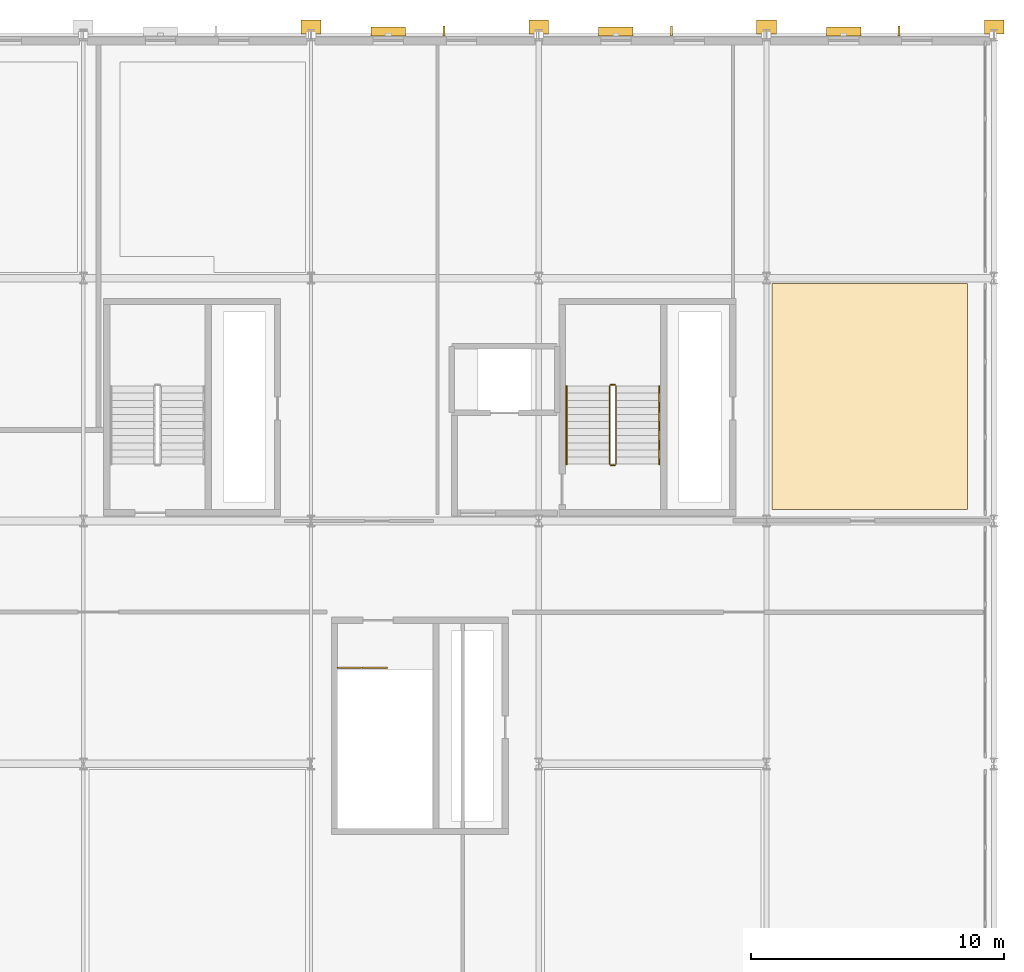
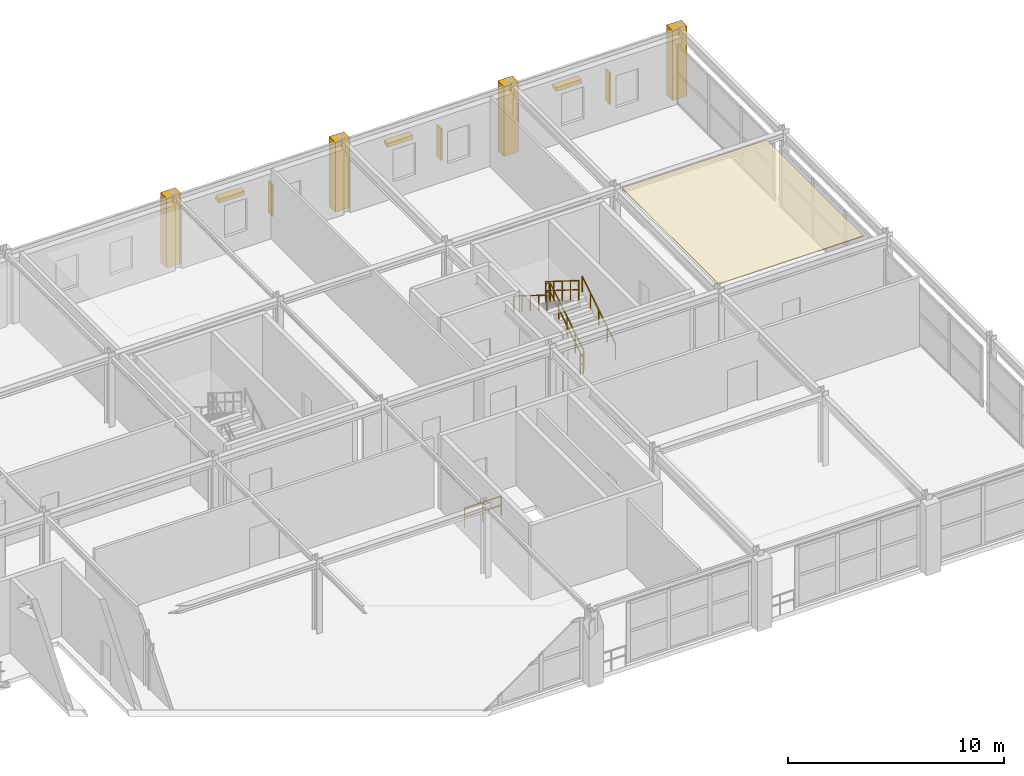
# One storey, part 81 of 81: 7 railings, 6 shading devices, 5 coverings.
"""IFC4 building model written with IfcOpenShell, lengths in metres."""

from ifc_helpers import new_model, si_unit, direction, frame, origin, origin_2d, place, context, subcontext, project, spatial, polyline, rectangle, outline, extrude, material, layer, layer_set, type_object, element, save


model = new_model("IFC4")

# Units and contexts
model_context = context("Model", 3, precision=1e-05, world=origin(), true_north=direction((0.0, 1.0)))
body_context = subcontext(model_context, "Body", "Model", "MODEL_VIEW")
ifc_project = project(units=[si_unit("LENGTHUNIT", "METRE"), si_unit("AREAUNIT", "SQUARE_METRE"), si_unit("VOLUMEUNIT", "CUBIC_METRE"), si_unit("PLANEANGLEUNIT", "RADIAN"), si_unit("MASSUNIT", "GRAM", prefix="KILO")], contexts=[model_context])

# Site, building, storey
site_placement = place(None, origin())
site = spatial("IfcSite", under=ifc_project, at=site_placement, CompositionType="ELEMENT")
building_placement = place(site_placement, origin())
building = spatial("IfcBuilding", under=site, at=building_placement, Name="Myrtia Square Station", CompositionType="ELEMENT")
storey_placement = place(building_placement, frame((0.0, 0.0, 10.800048828125)))
storey = spatial("IfcBuildingStorey", under=building, at=storey_placement, Name="L02", CompositionType="ELEMENT", Elevation=10.800048828125)

# Coverings
ifc_material_1 = material(Name="Pentelic marble ashlar", Category="masonry")
ifc_layer_1 = layer(ifc_material_1, 0.4599609375, Name="Pentelic marble ashlar")
ifc_layer_set_1 = layer_set([ifc_layer_1], Name="Pentelic marble ashlar")
covering_type_1 = type_object("IfcCoveringType", Name="COV-ARCH-ASHLAR", PredefinedType="CLADDING", material=ifc_layer_set_1)
for number, where, z_axis, x_axis, name in (
    (1, (162.0, 125.1201171875, -0.0400390625), (0.0, 0.0, 1.0), (1.0, 0.0, 0.0), "Classical Pentelic ashlar pilaster 100"),
    (2, (171.0, 125.1201171875, -0.0400390625), (0.0, 0.0, 1.0), (1.0, 0.0, 0.0), "Classical Pentelic ashlar pilaster 110"),
    (3, (180.0, 125.1201171875, -0.0400390625), (0.0, 0.0, 1.0), (1.0, 0.0, 0.0), "Classical Pentelic ashlar pilaster 120"),
    (4, (189.0, 125.1201171875, -0.0400390625), (0.0, 0.0, 1.0), (1.0, 0.0, 0.0), "Classical Pentelic ashlar pilaster 129"),
):
    element("IfcCovering", number, at=place(storey_placement, frame(where, z_axis=z_axis, x_axis=x_axis)), inside=storey, type_object=covering_type_1, Name=name, PredefinedType="CLADDING", context=body_context, shape_type="SweptSolid", body=[
        extrude(rectangle(XDim=0.780029296875, YDim=0.56005859375, at=origin_2d()), origin(), (0.0, 0.0, 1.0), 3.93994140625),
    ])
ifc_material_2 = material(Name="Acoustic European oak timber", Category="wood")
ifc_layer_2 = layer(ifc_material_2, 0.044921875, Name="Acoustic European oak timber")
ifc_layer_set_2 = layer_set([ifc_layer_2], Name="Acoustic European oak timber")
covering_type_2 = type_object("IfcCoveringType", Name="COV-CEIL-OAK", PredefinedType="CEILING", material=ifc_layer_set_2)
covering_placement = place(storey_placement, frame((0.0, 0.0, 3.9150390625)))
element("IfcCovering", 5, at=covering_placement, inside=storey, type_object=covering_type_2, Name="Acoustic coffer ceiling L02-17", PredefinedType="CEILING", context=body_context, shape_type="SweptSolid", body=[
    extrude(outline(polyline([(187.949951171875, 106.050048828125), (180.219970703125, 106.050048828125), (180.219970703125, 114.97998046875), (187.949951171875, 114.97998046875), (187.949951171875, 106.050048828125)])), origin(), (0.0, 0.0, 1.0), 0.044921875),
])

# Railings
ifc_material_3 = material(Name="Dark bronze anodised aluminium", Category="aluminium")
railing_type_1 = type_object("IfcRailingType", Name="RL-HANDRAIL-900", PredefinedType="HANDRAIL", material=ifc_material_3)
railing_1_placement = place(storey_placement, frame((175.760009765625, 107.85009765625, 0.175048828125)))
element("IfcRailing", 6, at=railing_1_placement, inside=storey, type_object=railing_type_1, Name="L02 ST08 stair handrail 1", PredefinedType="HANDRAIL", context=body_context, shape_type="SweptSolid", body=[
    extrude(rectangle(XDim=0.048095703125, YDim=0.048095703125, at=origin_2d()), frame((0.0, 0.029296875, 0.894287109375), z_axis=(0.0, 0.848009633417, 0.529980812513), x_axis=(-1.0, 0.0, 0.0)), (0.0, 0.0, 1.0), 0.838623046875),
    extrude(rectangle(XDim=0.048095703125, YDim=0.048095703125, at=origin_2d()), frame((0.0, 0.79931640625, 1.37548828125), z_axis=(0.0, 0.848009633417, 0.529980812513), x_axis=(-1.0, 0.0, 0.0)), (0.0, 0.0, 1.0), 0.838623046875),
    extrude(rectangle(XDim=0.048095703125, YDim=0.048095703125, at=origin_2d()), frame((0.0, 1.5693359375, 1.856689453125), z_axis=(0.0, 0.848009633417, 0.529980812513), x_axis=(-1.0, 0.0, 0.0)), (0.0, 0.0, 1.0), 0.838623046875),
    extrude(rectangle(XDim=0.048095703125, YDim=0.048095703125, at=origin_2d()), frame((0.0, 2.33935546875, 2.337890625), z_axis=(0.0, 0.848009633417, 0.529980812513), x_axis=(-1.0, 0.0, 0.0)), (0.0, 0.0, 1.0), 0.838623046875),
    extrude(rectangle(XDim=0.0439453125, YDim=0.0439453125, at=origin_2d()), origin(), (0.0, 0.0, 1.0), 0.89990234375),
    extrude(rectangle(XDim=0.0439453125, YDim=0.0439453125, at=origin_2d()), frame((0.0, 0.77001953125, 0.481201171875)), (0.0, 0.0, 1.0), 0.89990234375),
    extrude(rectangle(XDim=0.0439453125, YDim=0.0439453125, at=origin_2d()), frame((0.0, 1.5400390625, 0.96240234375)), (0.0, 0.0, 1.0), 0.89990234375),
    extrude(rectangle(XDim=0.0439453125, YDim=0.0439453125, at=origin_2d()), frame((0.0, 2.309814453125, 1.443603515625)), (0.0, 0.0, 1.0), 0.89990234375),
    extrude(rectangle(XDim=0.0439453125, YDim=0.0439453125, at=origin_2d()), frame((0.0, 3.079833984375, 1.9248046875)), (0.0, 0.0, 1.0), 0.89990234375),
])
railing_2_placement = place(storey_placement, frame((172.10009765625, 110.929931640625, 2.27490234375)))
element("IfcRailing", 7, at=railing_2_placement, inside=storey, type_object=railing_type_1, Name="L02 ST08 stair handrail 2", PredefinedType="HANDRAIL", context=body_context, shape_type="SweptSolid", body=[
    extrude(rectangle(XDim=0.048095703125, YDim=0.048095703125, at=origin_2d()), frame((0.0, -0.029296875, 0.894287109375), z_axis=(0.0, -0.847979421464, 0.530029150871), x_axis=(1.0, 0.0, 0.0)), (0.0, 0.0, 1.0), 0.838623046875),
    extrude(rectangle(XDim=0.048095703125, YDim=0.048095703125, at=origin_2d()), frame((0.0, -0.79931640625, 1.37548828125), z_axis=(0.0, -0.847979421464, 0.530029150871), x_axis=(1.0, 0.0, 0.0)), (0.0, 0.0, 1.0), 0.838623046875),
    extrude(rectangle(XDim=0.048095703125, YDim=0.048095703125, at=origin_2d()), frame((0.0, -1.5693359375, 1.856689453125), z_axis=(0.0, -0.847979421464, 0.530029150871), x_axis=(1.0, 0.0, 0.0)), (0.0, 0.0, 1.0), 0.838623046875),
    extrude(rectangle(XDim=0.048095703125, YDim=0.048095703125, at=origin_2d()), frame((0.0, -2.33935546875, 2.337890625), z_axis=(0.0, -0.847979421464, 0.530029150871), x_axis=(1.0, 0.0, 0.0)), (0.0, 0.0, 1.0), 0.838623046875),
    extrude(rectangle(XDim=0.0439453125, YDim=0.0439453125, at=origin_2d()), origin(), (0.0, 0.0, 1.0), 0.89990234375),
    extrude(rectangle(XDim=0.0439453125, YDim=0.0439453125, at=origin_2d()), frame((0.0, -0.77001953125, 0.481201171875)), (0.0, 0.0, 1.0), 0.89990234375),
    extrude(rectangle(XDim=0.0439453125, YDim=0.0439453125, at=origin_2d()), frame((0.0, -1.5400390625, 0.96240234375)), (0.0, 0.0, 1.0), 0.89990234375),
    extrude(rectangle(XDim=0.0439453125, YDim=0.0439453125, at=origin_2d()), frame((0.0, -2.309814453125, 1.44384765625)), (0.0, 0.0, 1.0), 0.89990234375),
    extrude(rectangle(XDim=0.0439453125, YDim=0.0439453125, at=origin_2d()), frame((0.0, -3.079833984375, 1.925048828125)), (0.0, 0.0, 1.0), 0.89990234375),
])
ifc_material_4 = material(Name="Wrought iron", Category="steel")
railing_type_2 = type_object("IfcRailingType", Name="RL-INT-GUARD-1100", PredefinedType="BALUSTRADE", material=ifc_material_4)
railing_3_placement = place(storey_placement, frame((174.06005859375, 107.85009765625, 0.175048828125)))
element("IfcRailing", 8, at=railing_3_placement, inside=storey, type_object=railing_type_2, Name="L02 ST08 stair guard 1", PredefinedType="BALUSTRADE", context=body_context, shape_type="SweptSolid", body=[
    extrude(rectangle(XDim=0.048095703125, YDim=0.048095703125, at=origin_2d()), frame((0.0, 0.029296875, 1.114501953125), z_axis=(0.0, 0.848009633417, 0.529980812513), x_axis=(-1.0, 0.0, 0.0)), (0.0, 0.0, 1.0), 0.838623046875),
    extrude(rectangle(XDim=0.048095703125, YDim=0.048095703125, at=origin_2d()), frame((0.0, 0.029296875, 0.600830078125), z_axis=(0.0, 0.848009633417, 0.529980812513), x_axis=(-1.0, 0.0, 0.0)), (0.0, 0.0, 1.0), 0.838623046875),
    extrude(rectangle(XDim=0.048095703125, YDim=0.048095703125, at=origin_2d()), frame((0.0, 0.79931640625, 1.595703125), z_axis=(0.0, 0.848009633417, 0.529980812513), x_axis=(-1.0, 0.0, 0.0)), (0.0, 0.0, 1.0), 0.838623046875),
    extrude(rectangle(XDim=0.048095703125, YDim=0.048095703125, at=origin_2d()), frame((0.0, 0.79931640625, 1.08203125), z_axis=(0.0, 0.848009633417, 0.529980812513), x_axis=(-1.0, 0.0, 0.0)), (0.0, 0.0, 1.0), 0.838623046875),
    extrude(rectangle(XDim=0.048095703125, YDim=0.048095703125, at=origin_2d()), frame((0.0, 1.5693359375, 2.076904296875), z_axis=(0.0, 0.848009633417, 0.529980812513), x_axis=(-1.0, 0.0, 0.0)), (0.0, 0.0, 1.0), 0.838623046875),
    extrude(rectangle(XDim=0.048095703125, YDim=0.048095703125, at=origin_2d()), frame((0.0, 1.5693359375, 1.563232421875), z_axis=(0.0, 0.848009633417, 0.529980812513), x_axis=(-1.0, 0.0, 0.0)), (0.0, 0.0, 1.0), 0.838623046875),
    extrude(rectangle(XDim=0.048095703125, YDim=0.048095703125, at=origin_2d()), frame((0.0, 2.33935546875, 2.55810546875), z_axis=(0.0, 0.848009633417, 0.529980812513), x_axis=(-1.0, 0.0, 0.0)), (0.0, 0.0, 1.0), 0.838623046875),
    extrude(rectangle(XDim=0.048095703125, YDim=0.048095703125, at=origin_2d()), frame((0.0, 2.33935546875, 2.04443359375), z_axis=(0.0, 0.848009633417, 0.529980812513), x_axis=(-1.0, 0.0, 0.0)), (0.0, 0.0, 1.0), 0.838623046875),
    extrude(rectangle(XDim=0.0439453125, YDim=0.0439453125, at=origin_2d()), origin(), (0.0, 0.0, 1.0), 1.1201171875),
    extrude(rectangle(XDim=0.0439453125, YDim=0.0439453125, at=origin_2d()), frame((0.0, 0.77001953125, 0.481201171875)), (0.0, 0.0, 1.0), 1.1201171875),
    extrude(rectangle(XDim=0.0439453125, YDim=0.0439453125, at=origin_2d()), frame((0.0, 1.5400390625, 0.96240234375)), (0.0, 0.0, 1.0), 1.1201171875),
    extrude(rectangle(XDim=0.0439453125, YDim=0.0439453125, at=origin_2d()), frame((0.0, 2.309814453125, 1.443603515625)), (0.0, 0.0, 1.0), 1.1201171875),
    extrude(rectangle(XDim=0.0439453125, YDim=0.0439453125, at=origin_2d()), frame((0.0, 3.079833984375, 1.9248046875)), (0.0, 0.0, 1.0), 1.1201171875),
])
railing_4_placement = place(storey_placement, frame((174.010009765625, 110.97998046875, 2.099853515625)))
element("IfcRailing", 9, at=railing_4_placement, inside=storey, type_object=railing_type_2, Name="L02 ST08 stair guard 2", PredefinedType="BALUSTRADE", context=body_context, shape_type="SweptSolid", body=[
    extrude(rectangle(XDim=0.048095703125, YDim=0.048095703125, at=origin_2d()), frame((-0.03466796875, 0.0, 1.09619140625), z_axis=(-1.0, 0.0, 0.0), x_axis=(0.0, -1.0, 0.0)), (0.0, 0.0, 1.0), 0.090576171875),
    extrude(rectangle(XDim=0.048095703125, YDim=0.048095703125, at=origin_2d()), frame((-0.03466796875, 0.0, 0.58251953125), z_axis=(-1.0, 0.0, 0.0), x_axis=(0.0, -1.0, 0.0)), (0.0, 0.0, 1.0), 0.090576171875),
    extrude(rectangle(XDim=0.0439453125, YDim=0.0439453125, at=origin_2d()), origin(), (0.0, 0.0, 1.0), 1.1201171875),
    extrude(rectangle(XDim=0.0439453125, YDim=0.0439453125, at=origin_2d()), frame((-0.159912109375, 0.0, 0.0)), (0.0, 0.0, 1.0), 1.1201171875),
])
railing_5_placement = place(storey_placement, frame((173.800048828125, 110.929931640625, 2.27490234375)))
element("IfcRailing", 10, at=railing_5_placement, inside=storey, type_object=railing_type_2, Name="L02 ST08 stair guard 3", PredefinedType="BALUSTRADE", context=body_context, shape_type="SweptSolid", body=[
    extrude(rectangle(XDim=0.048095703125, YDim=0.048095703125, at=origin_2d()), frame((0.0, -0.029296875, 1.114501953125), z_axis=(0.0, -0.847979421464, 0.530029150871), x_axis=(1.0, 0.0, 0.0)), (0.0, 0.0, 1.0), 0.838623046875),
    extrude(rectangle(XDim=0.048095703125, YDim=0.048095703125, at=origin_2d()), frame((0.0, -0.029296875, 0.600830078125), z_axis=(0.0, -0.847979421464, 0.530029150871), x_axis=(1.0, 0.0, 0.0)), (0.0, 0.0, 1.0), 0.838623046875),
    extrude(rectangle(XDim=0.048095703125, YDim=0.048095703125, at=origin_2d()), frame((0.0, -0.79931640625, 1.595703125), z_axis=(0.0, -0.847979421464, 0.530029150871), x_axis=(1.0, 0.0, 0.0)), (0.0, 0.0, 1.0), 0.838623046875),
    extrude(rectangle(XDim=0.048095703125, YDim=0.048095703125, at=origin_2d()), frame((0.0, -0.79931640625, 1.08203125), z_axis=(0.0, -0.847979421464, 0.530029150871), x_axis=(1.0, 0.0, 0.0)), (0.0, 0.0, 1.0), 0.838623046875),
    extrude(rectangle(XDim=0.048095703125, YDim=0.048095703125, at=origin_2d()), frame((0.0, -1.5693359375, 2.076904296875), z_axis=(0.0, -0.847979421464, 0.530029150871), x_axis=(1.0, 0.0, 0.0)), (0.0, 0.0, 1.0), 0.838623046875),
    extrude(rectangle(XDim=0.048095703125, YDim=0.048095703125, at=origin_2d()), frame((0.0, -1.5693359375, 1.563232421875), z_axis=(0.0, -0.847979421464, 0.530029150871), x_axis=(1.0, 0.0, 0.0)), (0.0, 0.0, 1.0), 0.838623046875),
    extrude(rectangle(XDim=0.048095703125, YDim=0.048095703125, at=origin_2d()), frame((0.0, -2.33935546875, 2.55810546875), z_axis=(0.0, -0.847979421464, 0.530029150871), x_axis=(1.0, 0.0, 0.0)), (0.0, 0.0, 1.0), 0.838623046875),
    extrude(rectangle(XDim=0.048095703125, YDim=0.048095703125, at=origin_2d()), frame((0.0, -2.33935546875, 2.044677734375), z_axis=(0.0, -0.847979421464, 0.530029150871), x_axis=(1.0, 0.0, 0.0)), (0.0, 0.0, 1.0), 0.838623046875),
    extrude(rectangle(XDim=0.0439453125, YDim=0.0439453125, at=origin_2d()), origin(), (0.0, 0.0, 1.0), 1.1201171875),
    extrude(rectangle(XDim=0.0439453125, YDim=0.0439453125, at=origin_2d()), frame((0.0, -0.77001953125, 0.481201171875)), (0.0, 0.0, 1.0), 1.1201171875),
    extrude(rectangle(XDim=0.0439453125, YDim=0.0439453125, at=origin_2d()), frame((0.0, -1.5400390625, 0.96240234375)), (0.0, 0.0, 1.0), 1.1201171875),
    extrude(rectangle(XDim=0.0439453125, YDim=0.0439453125, at=origin_2d()), frame((0.0, -2.309814453125, 1.44384765625)), (0.0, 0.0, 1.0), 1.1201171875),
    extrude(rectangle(XDim=0.0439453125, YDim=0.0439453125, at=origin_2d()), frame((0.0, -3.079833984375, 1.925048828125)), (0.0, 0.0, 1.0), 1.1201171875),
])
railing_6_placement = place(storey_placement, frame((174.010009765625, 107.800048828125, 0.0)))
element("IfcRailing", 11, at=railing_6_placement, inside=storey, type_object=railing_type_2, Name="L02 ST08 stair guard 4", PredefinedType="BALUSTRADE", context=body_context, shape_type="SweptSolid", body=[
    extrude(rectangle(XDim=0.048095703125, YDim=0.048095703125, at=origin_2d()), frame((-0.03466796875, 0.0, 1.09619140625), z_axis=(-1.0, 0.0, 0.0), x_axis=(0.0, -1.0, 0.0)), (0.0, 0.0, 1.0), 0.090576171875),
    extrude(rectangle(XDim=0.048095703125, YDim=0.048095703125, at=origin_2d()), frame((-0.03466796875, 0.0, 0.58251953125), z_axis=(-1.0, 0.0, 0.0), x_axis=(0.0, -1.0, 0.0)), (0.0, 0.0, 1.0), 0.090576171875),
    extrude(rectangle(XDim=0.0439453125, YDim=0.0439453125, at=origin_2d()), origin(), (0.0, 0.0, 1.0), 1.1201171875),
    extrude(rectangle(XDim=0.0439453125, YDim=0.0439453125, at=origin_2d()), frame((-0.159912109375, 0.0, 0.0)), (0.0, 0.0, 1.0), 1.1201171875),
])
railing_7_placement = place(storey_placement, frame((163.050048828125, 99.800048828125, 0.0)))
element("IfcRailing", 12, at=railing_7_placement, inside=storey, type_object=railing_type_2, Name="L02 ST16 top well guard 1", PredefinedType="BALUSTRADE", context=body_context, shape_type="SweptSolid", body=[
    extrude(rectangle(XDim=0.048095703125, YDim=0.048095703125, at=origin_2d()), frame((0.03466796875, 0.0, 1.09619140625), z_axis=(1.0, 0.0, 0.0), x_axis=(0.0, 1.0, 0.0)), (0.0, 0.0, 1.0), 0.91064453125),
    extrude(rectangle(XDim=0.048095703125, YDim=0.048095703125, at=origin_2d()), frame((0.03466796875, 0.0, 0.58251953125), z_axis=(1.0, 0.0, 0.0), x_axis=(0.0, 1.0, 0.0)), (0.0, 0.0, 1.0), 0.91064453125),
    extrude(rectangle(XDim=0.048095703125, YDim=0.048095703125, at=origin_2d()), frame((1.0146484375, 0.0, 1.09619140625), z_axis=(1.0, 0.0, 0.0), x_axis=(0.0, 1.0, 0.0)), (0.0, 0.0, 1.0), 0.91064453125),
    extrude(rectangle(XDim=0.048095703125, YDim=0.048095703125, at=origin_2d()), frame((1.0146484375, 0.0, 0.58251953125), z_axis=(1.0, 0.0, 0.0), x_axis=(0.0, 1.0, 0.0)), (0.0, 0.0, 1.0), 0.91064453125),
    extrude(rectangle(XDim=0.0439453125, YDim=0.0439453125, at=origin_2d()), origin(), (0.0, 0.0, 1.0), 1.1201171875),
    extrude(rectangle(XDim=0.0439453125, YDim=0.0439453125, at=origin_2d()), frame((0.97998046875, 0.0, 0.0)), (0.0, 0.0, 1.0), 1.1201171875),
    extrude(rectangle(XDim=0.0439453125, YDim=0.0439453125, at=origin_2d()), frame((1.9599609375, 0.0, 0.0)), (0.0, 0.0, 1.0), 1.1201171875),
])

# Shading devices
shading_device_type_1 = type_object("IfcShadingDeviceType", Name="SHD-FIN-BRONZE", PredefinedType="USERDEFINED", material=ifc_material_3)
for number, where, z_axis, x_axis, name in (
    (13, (167.248046875, 124.969970703125, 0.94970703125), (0.0, 0.0, 1.0), (1.0, 0.0, 0.0), "Vertical bronze solar fin SHF-060"),
    (14, (176.248046875, 124.969970703125, 0.94970703125), (0.0, 0.0, 1.0), (1.0, 0.0, 0.0), "Vertical bronze solar fin SHF-061"),
    (15, (185.248046875, 124.969970703125, 0.94970703125), (0.0, 0.0, 1.0), (1.0, 0.0, 0.0), "Vertical bronze solar fin SHF-062"),
):
    element("IfcShadingDevice", number, at=place(storey_placement, frame(where, z_axis=z_axis, x_axis=x_axis)), inside=storey, type_object=shading_device_type_1, Name=name, ObjectType="FIN", PredefinedType="USERDEFINED", context=body_context, shape_type="SweptSolid", body=[
        extrude(rectangle(XDim=0.080078125, YDim=0.389892578125, at=origin_2d()), origin(), (0.0, 0.0, 1.0), 1.800048828125),
    ])
shading_device_type_2 = type_object("IfcShadingDeviceType", Name="SHD-JALOUSIE-BRONZE", PredefinedType="JALOUSIE", material=ifc_material_3)
for number, where, z_axis, x_axis, name in (
    (16, (165.052001953125, 124.949951171875, 2.68994140625), (0.0, 0.0, 1.0), (1.0, 0.0, 0.0), "Mediterranean bronze solar louvre SHL-060"),
    (17, (174.052001953125, 124.949951171875, 2.68994140625), (0.0, 0.0, 1.0), (1.0, 0.0, 0.0), "Mediterranean bronze solar louvre SHL-061"),
    (18, (183.052001953125, 124.949951171875, 2.68994140625), (0.0, 0.0, 1.0), (1.0, 0.0, 0.0), "Mediterranean bronze solar louvre SHL-062"),
):
    element("IfcShadingDevice", number, at=place(storey_placement, frame(where, z_axis=z_axis, x_axis=x_axis)), inside=storey, type_object=shading_device_type_2, Name=name, PredefinedType="JALOUSIE", context=body_context, shape_type="SweptSolid", body=[
        extrude(rectangle(XDim=1.360107421875, YDim=0.35009765625, at=origin_2d()), origin(), (0.0, 0.0, 1.0), 0.219970703125),
    ])

save(model, "model.ifc")
